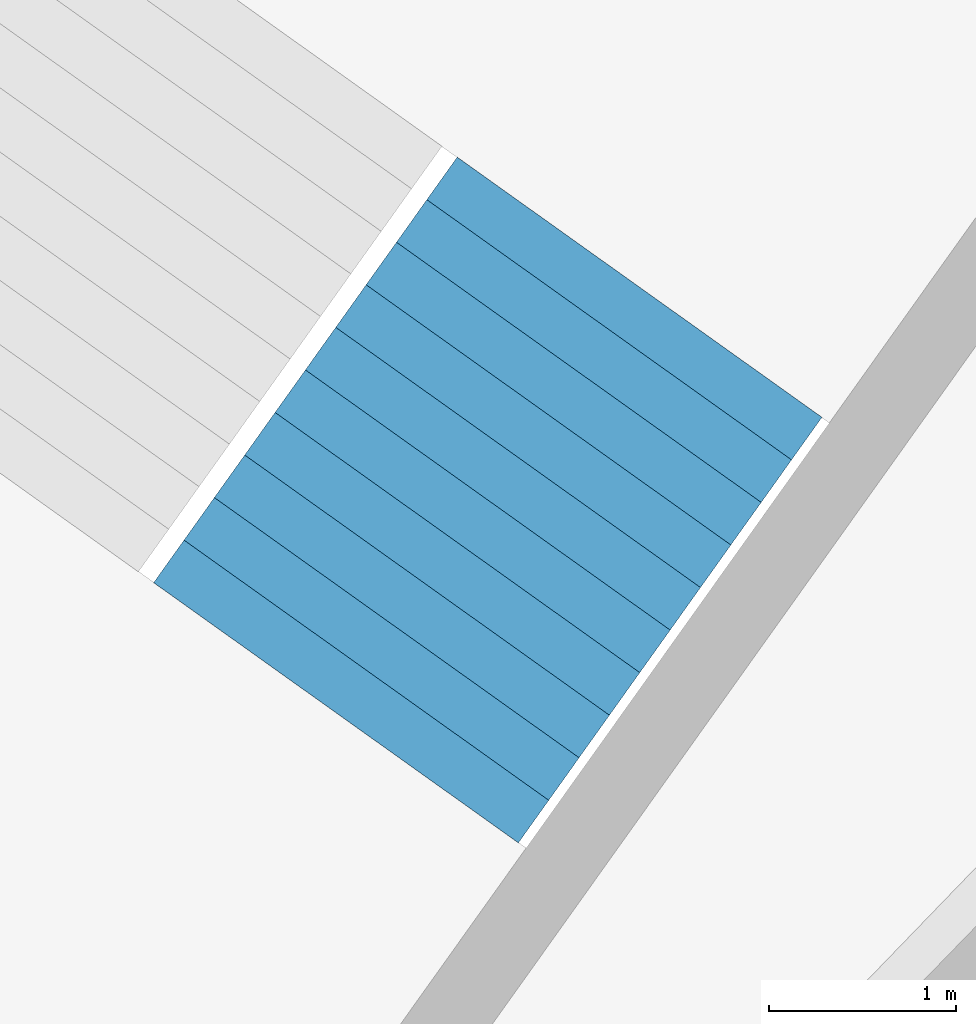
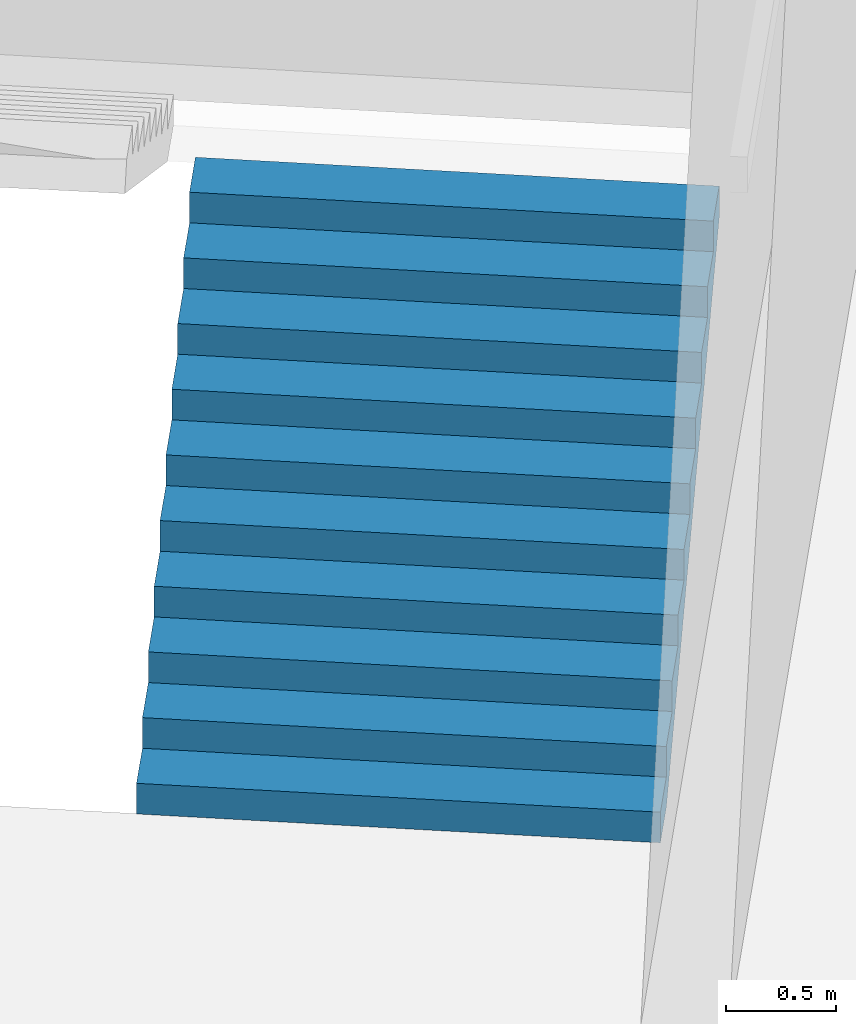
# One storey, part 69 of 73: 1 stair flight, 1 element without a shape of its own.
"""IFC4 building model written with IfcOpenShell, lengths in metres."""

from ifc_helpers import new_model, si_unit, direction, frame, origin, place, context, subcontext, project, spatial, triangles, material, type_object, element, aggregate, save


model = new_model("IFC4")

# Units and contexts
model_context = context("Model", 3, precision=1e-05, world=origin(), true_north=direction((0.0, 1.0)))
body_context = subcontext(model_context, "Body", "Model", "MODEL_VIEW")
ifc_project = project(units=[si_unit("LENGTHUNIT", "METRE"), si_unit("AREAUNIT", "SQUARE_METRE"), si_unit("VOLUMEUNIT", "CUBIC_METRE"), si_unit("PLANEANGLEUNIT", "RADIAN"), si_unit("MASSUNIT", "GRAM", prefix="KILO")], contexts=[model_context])

# Site, building, storey
site_placement = place(None, origin())
site = spatial("IfcSite", under=ifc_project, at=site_placement, CompositionType="ELEMENT")
building_placement = place(site_placement, origin())
building = spatial("IfcBuilding", under=site, at=building_placement, Name="Lantaw Convention Tower", CompositionType="ELEMENT")
storey_placement = place(building_placement, frame((0.0, 0.0, 14.5)))
storey = spatial("IfcBuildingStorey", under=building, at=storey_placement, Name="L02", CompositionType="ELEMENT", Elevation=14.5)

# Stair, stair flight
ifc_material = material(Name="Concrete C35/45", Category="concrete")
stair_type = type_object("IfcStairType", Name="Exit stair 2400 riser 170.45 in 4 flights", PredefinedType="HALF_TURN_STAIR", material=ifc_material)
stair_placement = place(storey_placement, origin())
stair = element("IfcStair", 1, at=stair_placement, inside=storey, type_object=stair_type, Name="Podium exit stair P4 L02", PredefinedType="HALF_TURN_STAIR")
stair_flight_type = type_object("IfcStairFlightType", Name="Stair flight 2400 riser 170.45", PredefinedType="STRAIGHT", material=ifc_material)
stair_flight_placement = place(storey_placement, frame((19.005615234375, 24.4921875, 0.0), z_axis=(0.0, 0.0, 1.0), x_axis=(0.580702955711, 0.814115518356, 0.0)))
stair_flight = element("IfcStairFlight", 2, at=stair_flight_placement, type_object=stair_flight_type, Name="P4 flight 1", NumberOfRisers=11, NumberOfTreads=10, PredefinedType="STRAIGHT", RiserHeight=0.170454545, TreadLength=0.28, context=body_context, shape_type="Tessellation", body=[
    triangles([(0.0, 1.199951171875, 0.0), (0.0, 1.199951171875, 0.170454545), (0.28, 1.199951171875, 0.0), (0.28, 1.199951171875, 0.170454545), (0.28, 1.199951171875, 0.34090909), (0.28827876332691904, 1.199951171875, 0.0), (0.28827876332691904, 1.199951171875, 0.34090909), (0.56, 1.199951171875, 0.16541471344266906), (0.56, 1.199951171875, 0.34090909), (0.56, 1.199951171875, 0.511363635), (0.8400000000000001, 1.199951171875, 0.335869258442669), (0.8400000000000001, 1.199951171875, 0.511363635), (0.8400000000000001, 1.199951171875, 0.68181818), (1.12, 1.199951171875, 0.506323803442669), (1.12, 1.199951171875, 0.68181818), (1.12, 1.199951171875, 0.8522727250000001), (1.4000000000000001, 1.199951171875, 0.676778348442669), (1.4000000000000001, 1.199951171875, 0.8522727250000001), (1.4000000000000001, 1.199951171875, 1.02272727), (1.6800000000000002, 1.199951171875, 0.847232893442669), (1.6800000000000002, 1.199951171875, 1.02272727), (1.6800000000000002, 1.199951171875, 1.193181815), (1.9600000000000002, 1.199951171875, 1.017687438442669), (1.9600000000000002, 1.199951171875, 1.193181815), (1.9600000000000002, 1.199951171875, 1.36363636), (2.24, 1.199951171875, 1.188141983442669), (2.24, 1.199951171875, 1.36363636), (2.24, 1.199951171875, 1.5340909050000002), (2.5200000000000005, 1.199951171875, 1.358596528442669), (2.5200000000000005, 1.199951171875, 1.5340909050000002), (2.5200000000000005, 1.199951171875, 1.7045454500000001), (2.8000000000000003, 1.199951171875, 1.529051073442669), (2.8000000000000003, 1.199951171875, 1.7045454500000001), (0.0, -1.199951171875, 0.0), (0.0, -1.199951171875, 0.170454545), (0.28, -1.199951171875, 0.0), (0.28, -1.199951171875, 0.170454545), (0.28, -1.199951171875, 0.34090909), (0.28827876332691904, -1.199951171875, 0.0), (0.28827876332691904, -1.199951171875, 0.34090909), (0.56, -1.199951171875, 0.16541471344266906), (0.56, -1.199951171875, 0.34090909), (0.56, -1.199951171875, 0.511363635), (0.8400000000000001, -1.199951171875, 0.335869258442669), (0.8400000000000001, -1.199951171875, 0.511363635), (0.8400000000000001, -1.199951171875, 0.68181818), (1.12, -1.199951171875, 0.506323803442669), (1.12, -1.199951171875, 0.68181818), (1.12, -1.199951171875, 0.8522727250000001), (1.4000000000000001, -1.199951171875, 0.676778348442669), (1.4000000000000001, -1.199951171875, 0.8522727250000001), (1.4000000000000001, -1.199951171875, 1.02272727), (1.6800000000000002, -1.199951171875, 0.847232893442669), (1.6800000000000002, -1.199951171875, 1.02272727), (1.6800000000000002, -1.199951171875, 1.193181815), (1.9600000000000002, -1.199951171875, 1.017687438442669), (1.9600000000000002, -1.199951171875, 1.193181815), (1.9600000000000002, -1.199951171875, 1.36363636), (2.24, -1.199951171875, 1.188141983442669), (2.24, -1.199951171875, 1.36363636), (2.24, -1.199951171875, 1.5340909050000002), (2.5200000000000005, -1.199951171875, 1.358596528442669), (2.5200000000000005, -1.199951171875, 1.5340909050000002), (2.5200000000000005, -1.199951171875, 1.7045454500000001), (2.8000000000000003, -1.199951171875, 1.529051073442669), (2.8000000000000003, -1.199951171875, 1.7045454500000001), (0.0, 0.239990234375, 0.170454545), (0.0, 0.239990234375, 0.0), (0.0, 0.1199951171875, 0.170454545), (0.0, 0.1199951171875, 0.0), (0.0, 0.0, 0.170454545), (0.0, 0.0, 0.0), (0.0, -0.1199951171875, 0.170454545), (0.0, -0.1199951171875, 0.0), (0.0, -0.239990234375, 0.170454545), (0.0, -0.239990234375, 0.0), (0.28, 0.239990234375, 0.34090909), (0.28, 0.239990234375, 0.170454545), (0.28, 0.1199951171875, 0.34090909), (0.28, 0.1199951171875, 0.170454545), (0.28, 0.0, 0.34090909), (0.28, 0.0, 0.170454545), (0.28, -0.1199951171875, 0.34090909), (0.28, -0.1199951171875, 0.170454545), (0.28, -0.239990234375, 0.34090909), (0.28, -0.239990234375, 0.170454545), (0.56, 0.239990234375, 0.511363635), (0.56, 0.239990234375, 0.34090909), (0.56, 0.1199951171875, 0.511363635), (0.56, 0.1199951171875, 0.34090909), (0.56, 0.0, 0.511363635), (0.56, 0.0, 0.34090909), (0.56, -0.1199951171875, 0.511363635), (0.56, -0.1199951171875, 0.34090909), (0.56, -0.239990234375, 0.511363635), (0.56, -0.239990234375, 0.34090909), (0.8400000000000001, 0.239990234375, 0.68181818), (0.8400000000000001, 0.239990234375, 0.511363635), (0.8400000000000001, 0.1199951171875, 0.68181818), (0.8400000000000001, 0.1199951171875, 0.511363635), (0.8400000000000001, 0.0, 0.68181818), (0.8400000000000001, 0.0, 0.511363635), (0.8400000000000001, -0.1199951171875, 0.68181818), (0.8400000000000001, -0.1199951171875, 0.511363635), (0.8400000000000001, -0.239990234375, 0.68181818), (0.8400000000000001, -0.239990234375, 0.511363635), (1.12, 0.239990234375, 0.8522727250000001), (1.12, 0.239990234375, 0.68181818), (1.12, 0.1199951171875, 0.8522727250000001), (1.12, 0.1199951171875, 0.68181818), (1.12, 0.0, 0.8522727250000001), (1.12, 0.0, 0.68181818), (1.12, -0.1199951171875, 0.8522727250000001), (1.12, -0.1199951171875, 0.68181818), (1.12, -0.239990234375, 0.8522727250000001), (1.12, -0.239990234375, 0.68181818), (1.4000000000000001, 0.239990234375, 1.02272727), (1.4000000000000001, 0.239990234375, 0.8522727250000001), (1.4000000000000001, 0.1199951171875, 1.02272727), (1.4000000000000001, 0.1199951171875, 0.8522727250000001), (1.4000000000000001, 0.0, 1.02272727), (1.4000000000000001, 0.0, 0.8522727250000001), (1.4000000000000001, -0.1199951171875, 1.02272727), (1.4000000000000001, -0.1199951171875, 0.8522727250000001), (1.4000000000000001, -0.239990234375, 1.02272727), (1.4000000000000001, -0.239990234375, 0.8522727250000001), (1.6800000000000002, 0.239990234375, 1.193181815), (1.6800000000000002, 0.239990234375, 1.02272727), (1.6800000000000002, 0.1199951171875, 1.193181815), (1.6800000000000002, 0.1199951171875, 1.02272727), (1.6800000000000002, 0.0, 1.193181815), (1.6800000000000002, 0.0, 1.02272727), (1.6800000000000002, -0.1199951171875, 1.193181815), (1.6800000000000002, -0.1199951171875, 1.02272727), (1.6800000000000002, -0.239990234375, 1.193181815), (1.6800000000000002, -0.239990234375, 1.02272727), (1.9600000000000002, 0.239990234375, 1.36363636), (1.9600000000000002, 0.239990234375, 1.193181815), (1.9600000000000002, 0.1199951171875, 1.36363636), (1.9600000000000002, 0.1199951171875, 1.193181815), (1.9600000000000002, 0.0, 1.36363636), (1.9600000000000002, 0.0, 1.193181815), (1.9600000000000002, -0.1199951171875, 1.36363636), (1.9600000000000002, -0.1199951171875, 1.193181815), (1.9600000000000002, -0.239990234375, 1.36363636), (1.9600000000000002, -0.239990234375, 1.193181815), (2.24, 0.239990234375, 1.5340909050000002), (2.24, 0.239990234375, 1.36363636), (2.24, 0.1199951171875, 1.5340909050000002), (2.24, 0.1199951171875, 1.36363636), (2.24, 0.0, 1.5340909050000002), (2.24, 0.0, 1.36363636), (2.24, -0.1199951171875, 1.5340909050000002), (2.24, -0.1199951171875, 1.36363636), (2.24, -0.239990234375, 1.5340909050000002), (2.24, -0.239990234375, 1.36363636), (2.5200000000000005, 0.239990234375, 1.7045454500000001), (2.5200000000000005, 0.239990234375, 1.5340909050000002), (2.5200000000000005, 0.1199951171875, 1.7045454500000001), (2.5200000000000005, 0.1199951171875, 1.5340909050000002), (2.5200000000000005, 0.0, 1.7045454500000001), (2.5200000000000005, 0.0, 1.5340909050000002), (2.5200000000000005, -0.1199951171875, 1.7045454500000001), (2.5200000000000005, -0.1199951171875, 1.5340909050000002), (2.5200000000000005, -0.239990234375, 1.7045454500000001), (2.5200000000000005, -0.239990234375, 1.5340909050000002), (0.28827876332691904, 0.239990234375, 0.34090909), (0.28827876332691904, 0.1199951171875, 0.34090909), (0.28827876332691904, 0.0, 0.34090909), (0.28827876332691904, -0.1199951171875, 0.34090909), (0.28827876332691904, -0.239990234375, 0.34090909), (2.8000000000000003, 0.239990234375, 1.7045454500000001), (2.8000000000000003, 0.1199951171875, 1.7045454500000001), (2.8000000000000003, 0.0, 1.7045454500000001), (2.8000000000000003, -0.1199951171875, 1.7045454500000001), (2.8000000000000003, -0.239990234375, 1.7045454500000001), (2.8000000000000003, 0.239990234375, 1.5290510734426692), (2.8000000000000003, 0.1199951171875, 1.5290510734426692), (2.8000000000000003, 0.0, 1.5290510734426692), (2.8000000000000003, -0.1199951171875, 1.5290510734426692), (2.8000000000000003, -0.239990234375, 1.5290510734426692), (2.5200000000000005, 0.239990234375, 1.358596528442669), (2.5200000000000005, 0.1199951171875, 1.358596528442669), (2.5200000000000005, 0.0, 1.358596528442669), (2.5200000000000005, -0.1199951171875, 1.358596528442669), (2.5200000000000005, -0.239990234375, 1.358596528442669), (2.24, 0.239990234375, 1.188141983442669), (2.24, 0.1199951171875, 1.188141983442669), (2.24, 0.0, 1.188141983442669), (2.24, -0.1199951171875, 1.188141983442669), (2.24, -0.239990234375, 1.188141983442669), (1.9600000000000002, 0.239990234375, 1.017687438442669), (1.9600000000000002, 0.1199951171875, 1.017687438442669), (1.9600000000000002, 0.0, 1.017687438442669), (1.9600000000000002, -0.1199951171875, 1.017687438442669), (1.9600000000000002, -0.239990234375, 1.017687438442669), (1.6800000000000002, 0.239990234375, 0.847232893442669), (1.6800000000000002, 0.1199951171875, 0.847232893442669), (1.6800000000000002, 0.0, 0.847232893442669), (1.6800000000000002, -0.1199951171875, 0.847232893442669), (1.6800000000000002, -0.239990234375, 0.847232893442669), (1.4000000000000001, 0.239990234375, 0.676778348442669), (1.4000000000000001, 0.1199951171875, 0.676778348442669), (1.4000000000000001, 0.0, 0.676778348442669), (1.4000000000000001, -0.1199951171875, 0.676778348442669), (1.4000000000000001, -0.239990234375, 0.676778348442669), (1.12, 0.239990234375, 0.506323803442669), (1.12, 0.1199951171875, 0.506323803442669), (1.12, 0.0, 0.506323803442669), (1.12, -0.1199951171875, 0.506323803442669), (1.12, -0.239990234375, 0.506323803442669), (0.8400000000000001, 0.239990234375, 0.335869258442669), (0.8400000000000001, 0.1199951171875, 0.335869258442669), (0.8400000000000001, 0.0, 0.335869258442669), (0.8400000000000001, -0.1199951171875, 0.335869258442669), (0.8400000000000001, -0.239990234375, 0.335869258442669), (0.56, 0.239990234375, 0.16541471344266906), (0.56, 0.1199951171875, 0.16541471344266906), (0.56, 0.0, 0.16541471344266906), (0.56, -0.1199951171875, 0.16541471344266906), (0.56, -0.239990234375, 0.16541471344266906), (0.28827876332691904, 0.239990234375, 0.0), (0.28827876332691904, 0.1199951171875, 0.0), (0.28827876332691904, 0.0, 0.0), (0.28827876332691904, -0.1199951171875, 0.0), (0.28827876332691904, -0.239990234375, 0.0), (0.28, 0.239990234375, 0.0), (0.28, 0.1199951171875, 0.0), (0.28, 0.0, 0.0), (0.28, -0.1199951171875, 0.0), (0.28, -0.239990234375, 0.0)], [[1, 4, 3], [1, 2, 4], [3, 4, 6], [4, 7, 6], [4, 5, 7], [6, 9, 8], [6, 7, 9], [8, 9, 11], [9, 12, 11], [9, 10, 12], [11, 12, 14], [12, 15, 14], [12, 13, 15], [14, 15, 17], [15, 18, 17], [15, 16, 18], [17, 18, 20], [18, 21, 20], [18, 19, 21], [20, 21, 23], [21, 24, 23], [21, 22, 24], [23, 24, 26], [24, 27, 26], [24, 25, 27], [26, 27, 29], [27, 30, 29], [27, 28, 30], [29, 30, 32], [30, 33, 32], [30, 31, 33], [34, 36, 37], [34, 37, 35], [36, 39, 37], [37, 39, 40], [37, 40, 38], [39, 41, 42], [39, 42, 40], [41, 44, 42], [42, 44, 45], [42, 45, 43], [44, 47, 45], [45, 47, 48], [45, 48, 46], [47, 50, 48], [48, 50, 51], [48, 51, 49], [50, 53, 51], [51, 53, 54], [51, 54, 52], [53, 56, 54], [54, 56, 57], [54, 57, 55], [56, 59, 57], [57, 59, 60], [57, 60, 58], [59, 62, 60], [60, 62, 63], [60, 63, 61], [62, 65, 63], [63, 65, 66], [63, 66, 64], [1, 67, 2], [1, 68, 67], [68, 69, 67], [68, 70, 69], [70, 71, 69], [70, 72, 71], [72, 73, 71], [72, 74, 73], [74, 75, 73], [74, 76, 75], [76, 35, 75], [76, 34, 35], [4, 77, 5], [4, 78, 77], [78, 79, 77], [78, 80, 79], [80, 81, 79], [80, 82, 81], [82, 83, 81], [82, 84, 83], [84, 85, 83], [84, 86, 85], [86, 38, 85], [86, 37, 38], [9, 87, 10], [9, 88, 87], [88, 89, 87], [88, 90, 89], [90, 91, 89], [90, 92, 91], [92, 93, 91], [92, 94, 93], [94, 95, 93], [94, 96, 95], [96, 43, 95], [96, 42, 43], [12, 97, 13], [12, 98, 97], [98, 99, 97], [98, 100, 99], [100, 101, 99], [100, 102, 101], [102, 103, 101], [102, 104, 103], [104, 105, 103], [104, 106, 105], [106, 46, 105], [106, 45, 46], [15, 107, 16], [15, 108, 107], [108, 109, 107], [108, 110, 109], [110, 111, 109], [110, 112, 111], [112, 113, 111], [112, 114, 113], [114, 115, 113], [114, 116, 115], [116, 49, 115], [116, 48, 49], [18, 117, 19], [18, 118, 117], [118, 119, 117], [118, 120, 119], [120, 121, 119], [120, 122, 121], [122, 123, 121], [122, 124, 123], [124, 125, 123], [124, 126, 125], [126, 52, 125], [126, 51, 52], [21, 127, 22], [21, 128, 127], [128, 129, 127], [128, 130, 129], [130, 131, 129], [130, 132, 131], [132, 133, 131], [132, 134, 133], [134, 135, 133], [134, 136, 135], [136, 55, 135], [136, 54, 55], [24, 137, 25], [24, 138, 137], [138, 139, 137], [138, 140, 139], [140, 141, 139], [140, 142, 141], [142, 143, 141], [142, 144, 143], [144, 145, 143], [144, 146, 145], [146, 58, 145], [146, 57, 58], [27, 147, 28], [27, 148, 147], [148, 149, 147], [148, 150, 149], [150, 151, 149], [150, 152, 151], [152, 153, 151], [152, 154, 153], [154, 155, 153], [154, 156, 155], [156, 61, 155], [156, 60, 61], [30, 157, 31], [30, 158, 157], [158, 159, 157], [158, 160, 159], [160, 161, 159], [160, 162, 161], [162, 163, 161], [162, 164, 163], [164, 165, 163], [164, 166, 165], [166, 64, 165], [166, 63, 64], [2, 78, 4], [2, 67, 78], [67, 80, 78], [67, 69, 80], [69, 82, 80], [69, 71, 82], [71, 84, 82], [71, 73, 84], [73, 86, 84], [73, 75, 86], [75, 37, 86], [75, 35, 37], [5, 167, 7], [5, 77, 167], [77, 168, 167], [77, 79, 168], [79, 169, 168], [79, 81, 169], [81, 170, 169], [81, 83, 170], [83, 171, 170], [83, 85, 171], [85, 40, 171], [85, 38, 40], [7, 88, 9], [7, 167, 88], [167, 90, 88], [167, 168, 90], [168, 92, 90], [168, 169, 92], [169, 94, 92], [169, 170, 94], [170, 96, 94], [170, 171, 96], [171, 42, 96], [171, 40, 42], [10, 98, 12], [10, 87, 98], [87, 100, 98], [87, 89, 100], [89, 102, 100], [89, 91, 102], [91, 104, 102], [91, 93, 104], [93, 106, 104], [93, 95, 106], [95, 45, 106], [95, 43, 45], [13, 108, 15], [13, 97, 108], [97, 110, 108], [97, 99, 110], [99, 112, 110], [99, 101, 112], [101, 114, 112], [101, 103, 114], [103, 116, 114], [103, 105, 116], [105, 48, 116], [105, 46, 48], [16, 118, 18], [16, 107, 118], [107, 120, 118], [107, 109, 120], [109, 122, 120], [109, 111, 122], [111, 124, 122], [111, 113, 124], [113, 126, 124], [113, 115, 126], [115, 51, 126], [115, 49, 51], [19, 128, 21], [19, 117, 128], [117, 130, 128], [117, 119, 130], [119, 132, 130], [119, 121, 132], [121, 134, 132], [121, 123, 134], [123, 136, 134], [123, 125, 136], [125, 54, 136], [125, 52, 54], [22, 138, 24], [22, 127, 138], [127, 140, 138], [127, 129, 140], [129, 142, 140], [129, 131, 142], [131, 144, 142], [131, 133, 144], [133, 146, 144], [133, 135, 146], [135, 57, 146], [135, 55, 57], [25, 148, 27], [25, 137, 148], [137, 150, 148], [137, 139, 150], [139, 152, 150], [139, 141, 152], [141, 154, 152], [141, 143, 154], [143, 156, 154], [143, 145, 156], [145, 60, 156], [145, 58, 60], [28, 158, 30], [28, 147, 158], [147, 160, 158], [147, 149, 160], [149, 162, 160], [149, 151, 162], [151, 164, 162], [151, 153, 164], [153, 166, 164], [153, 155, 166], [155, 63, 166], [155, 61, 63], [31, 172, 33], [31, 157, 172], [157, 173, 172], [157, 159, 173], [159, 174, 173], [159, 161, 174], [161, 175, 174], [161, 163, 175], [163, 176, 175], [163, 165, 176], [165, 66, 176], [165, 64, 66], [33, 177, 32], [33, 172, 177], [172, 178, 177], [172, 173, 178], [173, 179, 178], [173, 174, 179], [174, 180, 179], [174, 175, 180], [175, 181, 180], [175, 176, 181], [176, 65, 181], [176, 66, 65], [32, 182, 29], [32, 177, 182], [177, 183, 182], [177, 178, 183], [178, 184, 183], [178, 179, 184], [179, 185, 184], [179, 180, 185], [180, 186, 185], [180, 181, 186], [181, 62, 186], [181, 65, 62], [29, 187, 26], [29, 182, 187], [182, 188, 187], [182, 183, 188], [183, 189, 188], [183, 184, 189], [184, 190, 189], [184, 185, 190], [185, 191, 190], [185, 186, 191], [186, 59, 191], [186, 62, 59], [26, 192, 23], [26, 187, 192], [187, 193, 192], [187, 188, 193], [188, 194, 193], [188, 189, 194], [189, 195, 194], [189, 190, 195], [190, 196, 195], [190, 191, 196], [191, 56, 196], [191, 59, 56], [23, 197, 20], [23, 192, 197], [192, 198, 197], [192, 193, 198], [193, 199, 198], [193, 194, 199], [194, 200, 199], [194, 195, 200], [195, 201, 200], [195, 196, 201], [196, 53, 201], [196, 56, 53], [20, 202, 17], [20, 197, 202], [197, 203, 202], [197, 198, 203], [198, 204, 203], [198, 199, 204], [199, 205, 204], [199, 200, 205], [200, 206, 205], [200, 201, 206], [201, 50, 206], [201, 53, 50], [17, 207, 14], [17, 202, 207], [202, 208, 207], [202, 203, 208], [203, 209, 208], [203, 204, 209], [204, 210, 209], [204, 205, 210], [205, 211, 210], [205, 206, 211], [206, 47, 211], [206, 50, 47], [14, 212, 11], [14, 207, 212], [207, 213, 212], [207, 208, 213], [208, 214, 213], [208, 209, 214], [209, 215, 214], [209, 210, 215], [210, 216, 215], [210, 211, 216], [211, 44, 216], [211, 47, 44], [11, 217, 8], [11, 212, 217], [212, 218, 217], [212, 213, 218], [213, 219, 218], [213, 214, 219], [214, 220, 219], [214, 215, 220], [215, 221, 220], [215, 216, 221], [216, 41, 221], [216, 44, 41], [8, 222, 6], [8, 217, 222], [217, 223, 222], [217, 218, 223], [218, 224, 223], [218, 219, 224], [219, 225, 224], [219, 220, 225], [220, 226, 225], [220, 221, 226], [221, 39, 226], [221, 41, 39], [6, 227, 3], [6, 222, 227], [222, 228, 227], [222, 223, 228], [223, 229, 228], [223, 224, 229], [224, 230, 229], [224, 225, 230], [225, 231, 230], [225, 226, 231], [226, 36, 231], [226, 39, 36], [3, 68, 1], [3, 227, 68], [227, 70, 68], [227, 228, 70], [228, 72, 70], [228, 229, 72], [229, 74, 72], [229, 230, 74], [230, 76, 74], [230, 231, 76], [231, 34, 76], [231, 36, 34]], closed=True),
])
aggregate(stair, [stair_flight])

save(model, "model.ifc")
